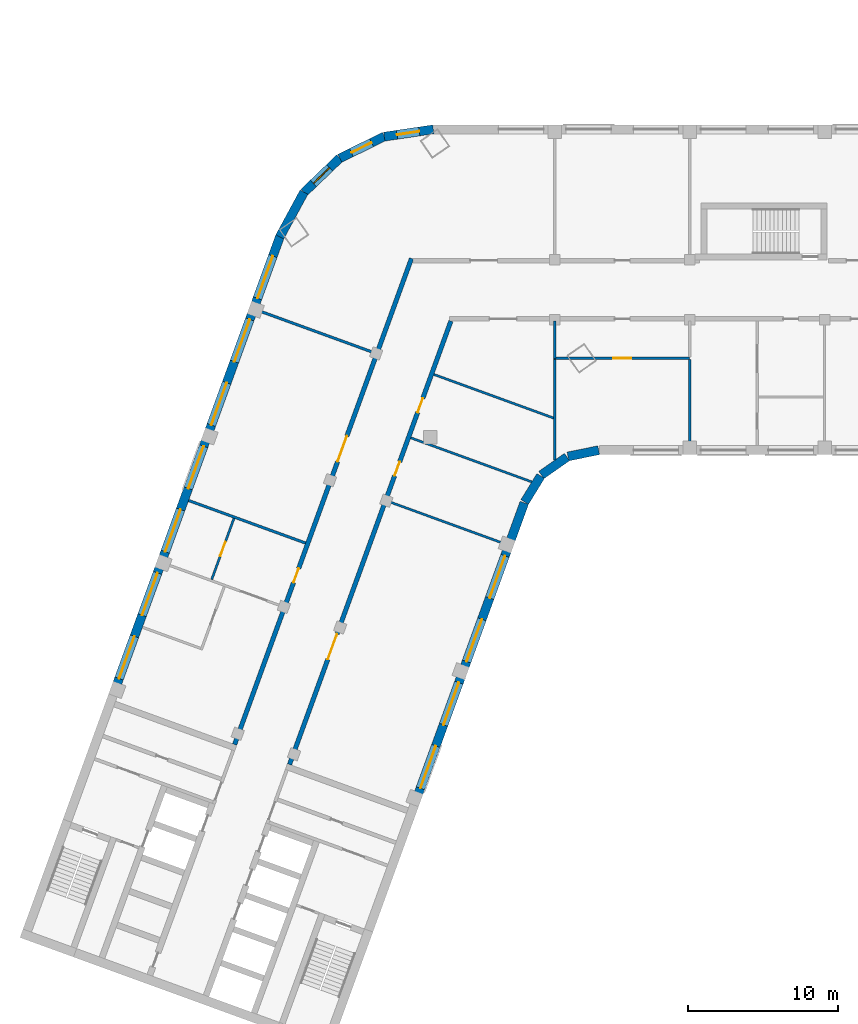
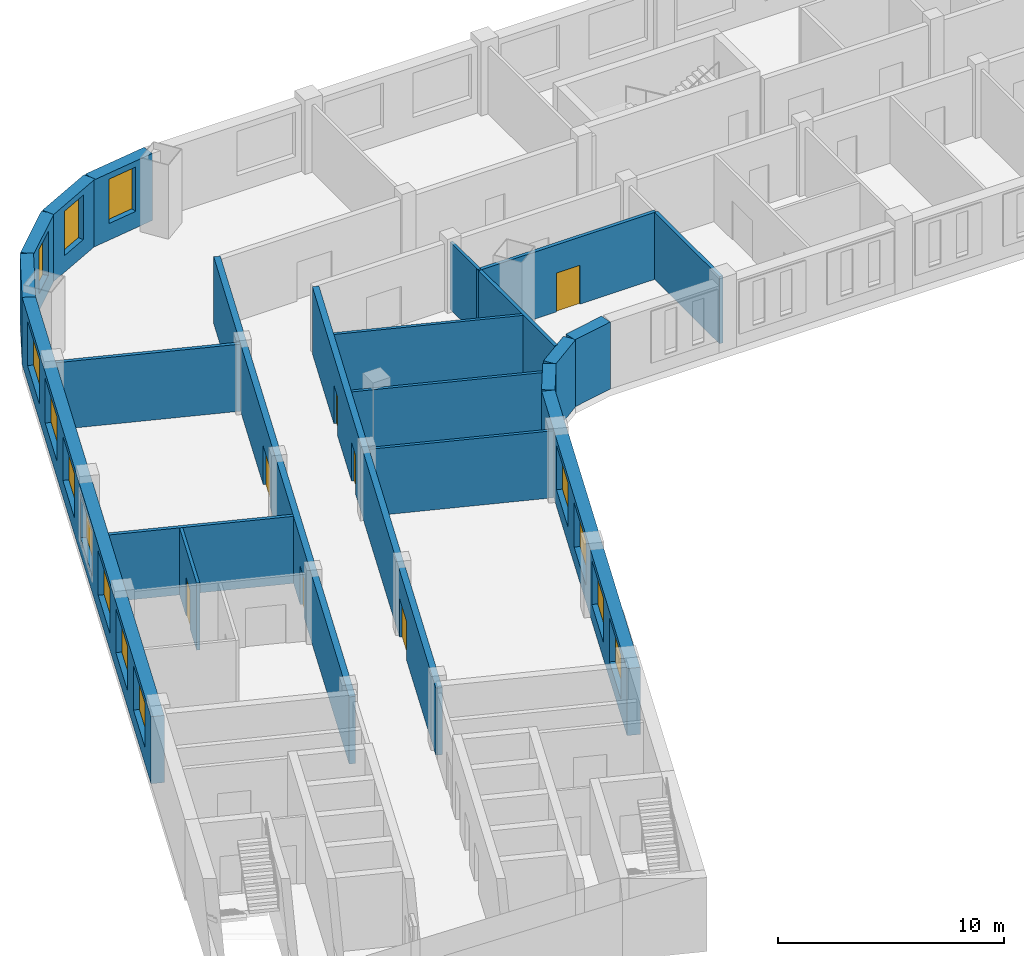
# One storey, part 3 of 12: 21 walls, 14 windows, 7 doors, 21 openings.
"""IFC4 building model written with IfcOpenShell, lengths in metres."""

from ifc_helpers import new_model, si_unit, direction, frame, frame_2d, origin, place, context, subcontext, project, spatial, rectangle, extrude, material, layer, layer_set, type_object, element, fill, save


model = new_model("IFC4")

# Units and contexts
model_context = context("Model", 3, precision=1e-05, world=origin(), true_north=direction((0.0, 1.0)))
body_context = subcontext(model_context, "Body", "Model", "MODEL_VIEW")
ifc_project = project(units=[si_unit("LENGTHUNIT", "METRE"), si_unit("AREAUNIT", "SQUARE_METRE"), si_unit("VOLUMEUNIT", "CUBIC_METRE"), si_unit("PLANEANGLEUNIT", "RADIAN"), si_unit("MASSUNIT", "GRAM", prefix="KILO")], contexts=[model_context])

# Site, building, storey
site_placement = place(None, origin())
site = spatial("IfcSite", under=ifc_project, at=site_placement, CompositionType="ELEMENT")
building_placement = place(site_placement, origin())
building = spatial("IfcBuilding", under=site, at=building_placement, Name="Skarvind Civic Tower", CompositionType="ELEMENT")
storey_placement = place(building_placement, frame((0.0, 0.0, 47.5)))
storey = spatial("IfcBuildingStorey", under=building, at=storey_placement, Name="L10", CompositionType="ELEMENT", Elevation=47.5)

# Walls
ifc_material_1 = material(Name="Acoustic gypsum board on steel studs", Category="steel")
ifc_layer_1 = layer(ifc_material_1, 0.175048828125)
ifc_layer_set_1 = layer_set([ifc_layer_1], Name="ACOUSTIC MEETING-ROOM PARTITION 175")
wall_type_1 = type_object("IfcWallType", Name="ACOUSTIC MEETING-ROOM PARTITION 175", PredefinedType="PARTITIONING", material=ifc_layer_set_1)
wall_1_placement = place(storey_placement, frame((29.81396484375, 113.93798828125, 0.0), z_axis=(0.0, 0.0, 1.0), x_axis=(0.939697205528, -0.342007546586, 0.0)))
element("IfcWall", 1, at=wall_1_placement, inside=storey, type_object=wall_type_1, Name="Partition 10.003", PredefinedType="PARTITIONING", context=body_context, shape_type="SweptSolid", body=[
    extrude(rectangle(XDim=8.300537109375, YDim=0.175048828125, at=frame_2d((4.150390625, 0.0))), origin(), (0.0, 0.0, 1.0), 3.625),
])
wall_2_placement = place(storey_placement, frame((42.23095703125, 123.784912109375, 0.0), z_axis=(0.0, 0.0, 1.0), x_axis=(-0.939687752599, 0.342033518263, 0.0)))
element("IfcWall", 2, at=wall_2_placement, inside=storey, type_object=wall_type_1, Name="Partition 10.007", PredefinedType="PARTITIONING", context=body_context, shape_type="SweptSolid", body=[
    extrude(rectangle(XDim=8.30078125, YDim=0.175048828125, at=frame_2d((4.150390625, 0.0))), origin(), (0.0, 0.0, 1.0), 3.625),
])
wall_3_placement = place(storey_placement, frame((54.25, 116.637939453125, 0.0), z_axis=(0.0, 0.0, 1.0), x_axis=(0.0, 1.0, 0.0)))
element("IfcWall", 3, at=wall_3_placement, inside=storey, type_object=wall_type_1, Name="Partition 10.012", PredefinedType="PARTITIONING", context=body_context, shape_type="SweptSolid", body=[
    extrude(rectangle(XDim=6.7041015625, YDim=0.175048828125, at=frame_2d((3.35205078125, 0.0))), origin(), (0.0, 0.0, 1.0), 3.625),
])
wall_4_placement = place(storey_placement, frame((63.25, 117.60009765625, 0.0), z_axis=(0.0, 0.0, 1.0), x_axis=(0.0, 1.0, 0.0)))
element("IfcWall", 4, at=wall_4_placement, inside=storey, type_object=wall_type_1, Name="Partition 10.016", PredefinedType="PARTITIONING", context=body_context, shape_type="SweptSolid", body=[
    extrude(rectangle(XDim=5.7578125, YDim=0.175048828125, at=frame_2d((2.87890625, 0.0))), origin(), (0.0, 0.0, 1.0), 3.625),
])

# Wall, opening, door
wall_5_placement = place(storey_placement, frame((54.162109375, 123.429931640625, 0.0), z_axis=(0.0, 0.0, 1.0), x_axis=(1.0, 0.0, 0.0)))
wall_5 = element("IfcWall", 5, at=wall_5_placement, inside=storey, type_object=wall_type_1, Name="Partition 10.018", PredefinedType="PARTITIONING", context=body_context, shape_type="SweptSolid", body=[
    extrude(rectangle(XDim=9.087890625, YDim=0.175048828125, at=frame_2d((4.5439453125, 0.0))), origin(), (0.0, 0.0, 1.0), 3.625),
])
opening_1_placement = place(wall_5_placement, frame((3.988037109375, 0.0, 0.0)))
opening_1 = element("IfcOpeningElement", 6, at=opening_1_placement, cuts=wall_5, Name="Opening L10-D026", PredefinedType="OPENING", context=body_context, shape_type="SweptSolid", body=[
    extrude(rectangle(XDim=1.199951171875, YDim=2.10009765625, at=frame_2d((0.60009765625, 1.050048828125))), frame((0.0, 0.097412109375, 0.0), z_axis=(0.0, -1.0, 0.0), x_axis=(1.0, 0.0, 0.0)), (0.0, 0.0, 1.0), 0.195068359375),
])
ifc_material_2 = material(Name="Timber door leaf", Category="wood")
door_type_1 = type_object("IfcDoorType", Name="DOOR 1200X2100 DOUBLE TIMBER", OperationType="NOTDEFINED", PredefinedType="DOOR", material=ifc_material_2)
door_1_placement = place(opening_1_placement, origin())
door_1 = element("IfcDoor", 7, at=door_1_placement, inside=storey, type_object=door_type_1, Name="Door L10-D026", OperationType="DOUBLE_DOOR_SINGLE_SWING", OverallHeight=2.10009765625, OverallWidth=1.199951171875, PredefinedType="DOOR", context=body_context, shape_type="SweptSolid", body=[
    extrude(rectangle(XDim=1.199951171875, YDim=2.10009765625, at=frame_2d((0.60009765625, 1.050048828125))), frame((0.0, 0.02490234375, 0.0), z_axis=(0.0, -1.0, 0.0), x_axis=(1.0, 0.0, 0.0)), (0.0, 0.0, 1.0), 0.050048828125),
])
fill(opening_1, door_1)

# Wall, openings, doors
ifc_material_3 = material(Name="Fire-rated gypsum board on steel studs", Category="steel")
ifc_layer_2 = layer(ifc_material_3, 0.300048828125)
ifc_layer_set_2 = layer_set([ifc_layer_2], Name="CORRIDOR WALL 300")
wall_type_2 = type_object("IfcWallType", Name="CORRIDOR WALL 300", PredefinedType="PARTITIONING", material=ifc_layer_set_2)
wall_6_placement = place(storey_placement, frame((32.881103515625, 97.656982421875, 0.0), z_axis=(0.0, 0.0, 1.0), x_axis=(0.342017360004, 0.939693633828, 0.0)))
wall_6 = element("IfcWall", 8, at=wall_6_placement, inside=storey, type_object=wall_type_2, Name="Partition 10.006", PredefinedType="PARTITIONING", context=body_context, shape_type="SweptSolid", body=[
    extrude(rectangle(XDim=34.515625, YDim=0.300048828125, at=frame_2d((17.2578125, 0.0))), origin(), (0.0, 0.0, 1.0), 3.625),
])
opening_2_placement = place(wall_6_placement, frame((11.500244140625, 0.0, 0.0)))
opening_2 = element("IfcOpeningElement", 9, at=opening_2_placement, cuts=wall_6, Name="Opening L10-D016", PredefinedType="OPENING", context=body_context, shape_type="SweptSolid", body=[
    extrude(rectangle(XDim=1.0, YDim=2.10009765625, at=frame_2d((0.5, 1.050048828125))), frame((0.0, 0.159912109375, 0.0), z_axis=(0.0, -1.0, 0.0), x_axis=(1.0, 0.0, 0.0)), (0.0, 0.0, 1.0), 0.320068359375),
])
opening_3_placement = place(wall_6_placement, frame((20.100341796875, 0.0, 0.0)))
opening_3 = element("IfcOpeningElement", 10, at=opening_3_placement, cuts=wall_6, Name="Opening L10-D020", PredefinedType="OPENING", context=body_context, shape_type="SweptSolid", body=[
    extrude(rectangle(XDim=1.800048828125, YDim=2.10009765625, at=frame_2d((0.89990234375, 1.050048828125))), frame((0.0, 0.159912109375, 0.0), z_axis=(0.0, -1.0, 0.0), x_axis=(1.0, 0.0, 0.0)), (0.0, 0.0, 1.0), 0.320068359375),
])
ifc_material_4 = material(Name="Fire-rated timber door leaf", Category="wood")
door_type_2 = type_object("IfcDoorType", Name="FD1 1000x2100", OperationType="NOTDEFINED", PredefinedType="DOOR", material=ifc_material_4)
door_2_placement = place(opening_2_placement, origin())
door_2 = element("IfcDoor", 11, at=door_2_placement, inside=storey, type_object=door_type_2, Name="Door L10-D016", OperationType="SINGLE_SWING_LEFT", OverallHeight=2.10009765625, OverallWidth=1.0, PredefinedType="DOOR", context=body_context, shape_type="SweptSolid", body=[
    extrude(rectangle(XDim=1.0, YDim=2.10009765625, at=frame_2d((0.5, 1.050048828125))), frame((0.0, 0.02490234375, 0.0), z_axis=(0.0, -1.0, 0.0), x_axis=(1.0, 0.0, 0.0)), (0.0, 0.0, 1.0), 0.050048828125),
])
fill(opening_2, door_2)
door_type_3 = type_object("IfcDoorType", Name="FD4 1800x2100", OperationType="NOTDEFINED", PredefinedType="DOOR", material=ifc_material_4)
door_3_placement = place(opening_3_placement, origin())
door_3 = element("IfcDoor", 12, at=door_3_placement, inside=storey, type_object=door_type_3, Name="Door L10-D020", OperationType="DOUBLE_DOOR_SINGLE_SWING", OverallHeight=2.10009765625, OverallWidth=1.800048828125, PredefinedType="DOOR", context=body_context, shape_type="SweptSolid", body=[
    extrude(rectangle(XDim=1.800048828125, YDim=2.10009765625, at=frame_2d((0.89990234375, 1.050048828125))), frame((0.0, 0.02490234375, 0.0), z_axis=(0.0, -1.0, 0.0), x_axis=(1.0, 0.0, 0.0)), (0.0, 0.0, 1.0), 0.050048828125),
])
fill(opening_3, door_3)

wall_7_placement = place(storey_placement, frame((47.31396484375, 125.908935546875, 0.0), z_axis=(0.0, 0.0, 1.0), x_axis=(-0.342010770371, -0.939696032209, 0.0)))
wall_7 = element("IfcWall", 13, at=wall_7_placement, inside=storey, type_object=wall_type_2, Name="Partition 10.011", PredefinedType="PARTITIONING", context=body_context, shape_type="SweptSolid", body=[
    extrude(rectangle(XDim=31.484619140625, YDim=0.300048828125, at=frame_2d((15.7421875, 0.0))), origin(), (0.0, 0.0, 1.0), 3.625),
])
opening_4_placement = place(wall_7_placement, frame((22.209716796875, 0.0, 0.0)))
opening_4 = element("IfcOpeningElement", 14, at=opening_4_placement, cuts=wall_7, Name="Opening L10-D021", PredefinedType="OPENING", context=body_context, shape_type="SweptSolid", body=[
    extrude(rectangle(XDim=1.800048828125, YDim=2.10009765625, at=frame_2d((0.89990234375, 1.050048828125))), frame((0.0, 0.159912109375, 0.0), z_axis=(0.0, -1.0, 0.0), x_axis=(1.0, 0.0, 0.0)), (0.0, 0.0, 1.0), 0.320068359375),
])
opening_5_placement = place(wall_7_placement, frame((9.984619140625, 0.0, 0.0)))
opening_5 = element("IfcOpeningElement", 15, at=opening_5_placement, cuts=wall_7, Name="Opening L10-D022", PredefinedType="OPENING", context=body_context, shape_type="SweptSolid", body=[
    extrude(rectangle(XDim=1.0, YDim=2.10009765625, at=frame_2d((0.5, 1.050048828125))), frame((0.0, 0.159912109375, 0.0), z_axis=(0.0, -1.0, 0.0), x_axis=(1.0, 0.0, 0.0)), (0.0, 0.0, 1.0), 0.320068359375),
])
opening_6_placement = place(wall_7_placement, frame((5.484130859375, 0.0, 0.0)))
opening_6 = element("IfcOpeningElement", 16, at=opening_6_placement, cuts=wall_7, Name="Opening L10-D023", PredefinedType="OPENING", context=body_context, shape_type="SweptSolid", body=[
    extrude(rectangle(XDim=1.0, YDim=2.10009765625, at=frame_2d((0.5, 1.050048828125))), frame((0.0, 0.159912109375, 0.0), z_axis=(0.0, -1.0, 0.0), x_axis=(1.0, 0.0, 0.0)), (0.0, 0.0, 1.0), 0.320068359375),
])
door_4_placement = place(opening_5_placement, origin())
door_4 = element("IfcDoor", 17, at=door_4_placement, inside=storey, type_object=door_type_2, Name="Door L10-D022", OperationType="SINGLE_SWING_LEFT", OverallHeight=2.10009765625, OverallWidth=1.0, PredefinedType="DOOR", context=body_context, shape_type="SweptSolid", body=[
    extrude(rectangle(XDim=1.0, YDim=2.10009765625, at=frame_2d((0.5, 1.050048828125))), frame((0.0, 0.02490234375, 0.0), z_axis=(0.0, -1.0, 0.0), x_axis=(1.0, 0.0, 0.0)), (0.0, 0.0, 1.0), 0.050048828125),
])
fill(opening_5, door_4)
door_5_placement = place(opening_6_placement, origin())
door_5 = element("IfcDoor", 18, at=door_5_placement, inside=storey, type_object=door_type_2, Name="Door L10-D023", OperationType="SINGLE_SWING_LEFT", OverallHeight=2.10009765625, OverallWidth=1.0, PredefinedType="DOOR", context=body_context, shape_type="SweptSolid", body=[
    extrude(rectangle(XDim=1.0, YDim=2.10009765625, at=frame_2d((0.5, 1.050048828125))), frame((0.0, 0.02490234375, 0.0), z_axis=(0.0, -1.0, 0.0), x_axis=(1.0, 0.0, 0.0)), (0.0, 0.0, 1.0), 0.050048828125),
])
fill(opening_6, door_5)
door_6_placement = place(opening_4_placement, origin())
door_6 = element("IfcDoor", 19, at=door_6_placement, inside=storey, type_object=door_type_3, Name="Door L10-D021", OperationType="DOUBLE_DOOR_SINGLE_SWING", OverallHeight=2.10009765625, OverallWidth=1.800048828125, PredefinedType="DOOR", context=body_context, shape_type="SweptSolid", body=[
    extrude(rectangle(XDim=1.800048828125, YDim=2.10009765625, at=frame_2d((0.89990234375, 1.050048828125))), frame((0.0, 0.02490234375, 0.0), z_axis=(0.0, -1.0, 0.0), x_axis=(1.0, 0.0, 0.0)), (0.0, 0.0, 1.0), 0.050048828125),
])
fill(opening_4, door_6)

# Wall, opening, door
ifc_material_5 = material(Name="Plasterboard partition on steel studs", Category="steel")
ifc_layer_3 = layer(ifc_material_5, 0.14990234375)
ifc_layer_set_3 = layer_set([ifc_layer_3], Name="PARTITION 150")
wall_type_3 = type_object("IfcWallType", Name="PARTITION 150", PredefinedType="PARTITIONING", material=ifc_layer_set_3)
wall_8_placement = place(storey_placement, frame((32.837890625, 112.743896484375, 0.0), z_axis=(0.0, 0.0, 1.0), x_axis=(-0.341896722183, -0.93973753323, 0.0)))
wall_8 = element("IfcWall", 20, at=wall_8_placement, inside=storey, type_object=wall_type_3, Name="Partition 10.005", PredefinedType="PARTITIONING", context=body_context, shape_type="SweptSolid", body=[
    extrude(rectangle(XDim=4.33740234375, YDim=0.14990234375, at=frame_2d((2.168701171875, 0.0))), origin(), (0.0, 0.0, 1.0), 3.625),
])
opening_7_placement = place(wall_8_placement, frame((1.668701171875, 0.0, 0.0)))
opening_7 = element("IfcOpeningElement", 21, at=opening_7_placement, cuts=wall_8, Name="Opening L10-D018", PredefinedType="OPENING", context=body_context, shape_type="SweptSolid", body=[
    extrude(rectangle(XDim=1.0, YDim=2.10009765625, at=frame_2d((0.5, 1.050048828125))), frame((0.0, 0.0849609375, 0.0), z_axis=(0.0, -1.0, 0.0), x_axis=(1.0, 0.0, 0.0)), (0.0, 0.0, 1.0), 0.169921875),
])
door_type_4 = type_object("IfcDoorType", Name="D1 1000x2100", OperationType="NOTDEFINED", PredefinedType="DOOR", material=ifc_material_2)
door_7_placement = place(opening_7_placement, origin())
door_7 = element("IfcDoor", 22, at=door_7_placement, inside=storey, type_object=door_type_4, Name="Door L10-D018", OperationType="SINGLE_SWING_LEFT", OverallHeight=2.10009765625, OverallWidth=1.0, PredefinedType="DOOR", context=body_context, shape_type="SweptSolid", body=[
    extrude(rectangle(XDim=1.0, YDim=2.10009765625, at=frame_2d((0.5, 1.050048828125))), frame((0.0, 0.02490234375, 0.0), z_axis=(0.0, -1.0, 0.0), x_axis=(1.0, 0.0, 0.0)), (0.0, 0.0, 1.0), 0.050048828125),
])
fill(opening_7, door_7)

# Walls
wall_9_placement = place(storey_placement, frame((43.10009765625, 113.89111328125, 0.0), z_axis=(0.0, 0.0, 1.0), x_axis=(0.939670544866, -0.342080790328, 0.0)))
element("IfcWall", 23, at=wall_9_placement, inside=storey, type_object=wall_type_3, Name="Partition 10.008", PredefinedType="PARTITIONING", context=body_context, shape_type="SweptSolid", body=[
    extrude(rectangle(XDim=8.299560546875, YDim=0.14990234375, at=frame_2d((4.14990234375, 0.0))), origin(), (0.0, 0.0, 1.0), 3.625),
])
wall_10_placement = place(storey_placement, frame((44.638916015625, 118.1201171875, 0.0), z_axis=(0.0, 0.0, 1.0), x_axis=(0.939669707102, -0.342083091593, 0.0)))
element("IfcWall", 24, at=wall_10_placement, inside=storey, type_object=wall_type_3, Name="Partition 10.009", PredefinedType="PARTITIONING", context=body_context, shape_type="SweptSolid", body=[
    extrude(rectangle(XDim=8.58935546875, YDim=0.14990234375, at=frame_2d((4.294677734375, 0.0))), origin(), (0.0, 0.0, 1.0), 3.625),
])
wall_11_placement = place(storey_placement, frame((54.16796875, 119.43994140625, 0.0), z_axis=(0.0, 0.0, 1.0), x_axis=(-0.939652508948, 0.342130329594, 0.0)))
element("IfcWall", 25, at=wall_11_placement, inside=storey, type_object=wall_type_3, Name="Partition 10.013", PredefinedType="PARTITIONING", context=body_context, shape_type="SweptSolid", body=[
    extrude(rectangle(XDim=8.503173828125, YDim=0.14990234375, at=frame_2d((4.25146484375, 0.0))), origin(), (0.0, 0.0, 1.0), 3.625),
])
wall_12_placement = place(storey_placement, frame((54.25, 125.89990234375, 0.0), z_axis=(0.0, 0.0, 1.0), x_axis=(0.0, -1.0, 0.0)))
element("IfcWall", 26, at=wall_12_placement, inside=storey, type_object=wall_type_3, Name="Partition 10.014", PredefinedType="PARTITIONING", context=body_context, shape_type="SweptSolid", body=[
    extrude(rectangle(XDim=2.472900390625, YDim=0.14990234375, at=frame_2d((1.236328125, 0.0))), origin(), (0.0, 0.0, 1.0), 3.625),
])

# Wall, openings, windows
ifc_material_6 = material(Name="Limestone masonry cladding on insulated backing", Category="masonry")
ifc_layer_4 = layer(ifc_material_6, 0.60009765625)
ifc_layer_set_4 = layer_set([ifc_layer_4], Name="WX1 STONE FACADE WALL 600")
wall_type_4 = type_object("IfcWallType", Name="WX1 STONE FACADE WALL 600", PredefinedType="SOLIDWALL", material=ifc_layer_set_4)
wall_13_placement = place(storey_placement, frame((52.212158203125, 113.78271484375, 0.0), z_axis=(0.0, 0.0, 1.0), x_axis=(-0.34202521188, -0.939690775968, 0.0)))
wall_13 = element("IfcWall", 27, at=wall_13_placement, inside=storey, type_object=wall_type_4, Name="STONE FACADE WALL", PredefinedType="SOLIDWALL", context=body_context, shape_type="SweptSolid", body=[
    extrude(rectangle(XDim=21.744873046875, YDim=0.60009765625, at=frame_2d((10.87255859375, 0.0))), origin(), (0.0, 0.0, 1.0), 3.625),
])
opening_8_placement = place(wall_13_placement, frame((3.764892578125, 0.0, 0.89990234375)))
opening_8 = element("IfcOpeningElement", 28, at=opening_8_placement, cuts=wall_13, Name="Opening WN1", PredefinedType="OPENING", context=body_context, shape_type="SweptSolid", body=[
    extrude(rectangle(XDim=3.0, YDim=2.39990234375, at=frame_2d((1.5, 1.199951171875))), frame((0.0, 0.31005859375, 0.0), z_axis=(0.0, -1.0, 0.0), x_axis=(1.0, 0.0, 0.0)), (0.0, 0.0, 1.0), 0.6201171875),
])
opening_9_placement = place(wall_13_placement, frame((8.264892578125, 0.0, 0.89990234375)))
opening_9 = element("IfcOpeningElement", 29, at=opening_9_placement, cuts=wall_13, Name="Opening WN1", PredefinedType="OPENING", context=body_context, shape_type="SweptSolid", body=[
    extrude(rectangle(XDim=3.0, YDim=2.39990234375, at=frame_2d((1.5, 1.199951171875))), frame((0.0, 0.31005859375, 0.0), z_axis=(0.0, -1.0, 0.0), x_axis=(1.0, 0.0, 0.0)), (0.0, 0.0, 1.0), 0.6201171875),
])
opening_10_placement = place(wall_13_placement, frame((12.764892578125, 0.0, 0.89990234375)))
opening_10 = element("IfcOpeningElement", 30, at=opening_10_placement, cuts=wall_13, Name="Opening WN1", PredefinedType="OPENING", context=body_context, shape_type="SweptSolid", body=[
    extrude(rectangle(XDim=3.0, YDim=2.39990234375, at=frame_2d((1.5, 1.199951171875))), frame((0.0, 0.31005859375, 0.0), z_axis=(0.0, -1.0, 0.0), x_axis=(1.0, 0.0, 0.0)), (0.0, 0.0, 1.0), 0.6201171875),
])
opening_11_placement = place(wall_13_placement, frame((17.264892578125, 0.0, 0.89990234375)))
opening_11 = element("IfcOpeningElement", 31, at=opening_11_placement, cuts=wall_13, Name="Opening WN1", PredefinedType="OPENING", context=body_context, shape_type="SweptSolid", body=[
    extrude(rectangle(XDim=3.0, YDim=2.39990234375, at=frame_2d((1.5, 1.199951171875))), frame((0.0, 0.31005859375, 0.0), z_axis=(0.0, -1.0, 0.0), x_axis=(1.0, 0.0, 0.0)), (0.0, 0.0, 1.0), 0.6201171875),
])
ifc_material_7 = material(Name="Timber frame, double glazing, timber-lined reveal", Category="wood")
window_type_1 = type_object("IfcWindowType", Name="WN1 PUNCHED STONE WINDOW 3000 x 2400", PartitioningType="SINGLE_PANEL", PredefinedType="WINDOW", material=ifc_material_7)
window_1_placement = place(opening_8_placement, origin())
window_1 = element("IfcWindow", 32, at=window_1_placement, inside=storey, type_object=window_type_1, Name="WN1 WINDOW", OverallHeight=2.39990234375, OverallWidth=3.0, PartitioningType="SINGLE_PANEL", PredefinedType="WINDOW", context=body_context, shape_type="SweptSolid", body=[
    extrude(rectangle(XDim=3.0, YDim=2.39990234375, at=frame_2d((1.5, 1.199951171875))), frame((0.0, 0.030029296875, 0.0), z_axis=(0.0, -1.0, 0.0), x_axis=(1.0, 0.0, 0.0)), (0.0, 0.0, 1.0), 0.06005859375),
])
fill(opening_8, window_1)
window_2_placement = place(opening_9_placement, origin())
window_2 = element("IfcWindow", 33, at=window_2_placement, inside=storey, type_object=window_type_1, Name="WN1 WINDOW", OverallHeight=2.39990234375, OverallWidth=3.0, PartitioningType="SINGLE_PANEL", PredefinedType="WINDOW", context=body_context, shape_type="SweptSolid", body=[
    extrude(rectangle(XDim=3.0, YDim=2.39990234375, at=frame_2d((1.5, 1.199951171875))), frame((0.0, 0.030029296875, 0.0), z_axis=(0.0, -1.0, 0.0), x_axis=(1.0, 0.0, 0.0)), (0.0, 0.0, 1.0), 0.06005859375),
])
fill(opening_9, window_2)
window_3_placement = place(opening_10_placement, origin())
window_3 = element("IfcWindow", 34, at=window_3_placement, inside=storey, type_object=window_type_1, Name="WN1 WINDOW", OverallHeight=2.39990234375, OverallWidth=3.0, PartitioningType="SINGLE_PANEL", PredefinedType="WINDOW", context=body_context, shape_type="SweptSolid", body=[
    extrude(rectangle(XDim=3.0, YDim=2.39990234375, at=frame_2d((1.5, 1.199951171875))), frame((0.0, 0.030029296875, 0.0), z_axis=(0.0, -1.0, 0.0), x_axis=(1.0, 0.0, 0.0)), (0.0, 0.0, 1.0), 0.06005859375),
])
fill(opening_10, window_3)
window_4_placement = place(opening_11_placement, origin())
window_4 = element("IfcWindow", 35, at=window_4_placement, inside=storey, type_object=window_type_1, Name="WN1 WINDOW", OverallHeight=2.39990234375, OverallWidth=3.0, PartitioningType="SINGLE_PANEL", PredefinedType="WINDOW", context=body_context, shape_type="SweptSolid", body=[
    extrude(rectangle(XDim=3.0, YDim=2.39990234375, at=frame_2d((1.5, 1.199951171875))), frame((0.0, 0.030029296875, 0.0), z_axis=(0.0, -1.0, 0.0), x_axis=(1.0, 0.0, 0.0)), (0.0, 0.0, 1.0), 0.06005859375),
])
fill(opening_11, window_4)

# Walls
wall_14_placement = place(storey_placement, frame((53.30517578125, 115.578369140625, 0.0), z_axis=(0.0, 0.0, 1.0), x_axis=(-0.522402266438, -0.852699168535, 0.0)))
element("IfcWall", 36, at=wall_14_placement, inside=storey, type_object=wall_type_4, Name="STONE FACADE WALL", PredefinedType="SOLIDWALL", context=body_context, shape_type="SweptSolid", body=[
    extrude(rectangle(XDim=2.042236328125, YDim=0.60009765625, at=frame_2d((1.02099609375, 0.0))), origin(), (0.0, 0.0, 1.0), 3.625),
])
for number, where, z_axis, x_axis, name in (
    (37, (55.061767578125, 116.8388671875, 0.0), (0.0, 0.0, 1.0), (-0.819122269495, -0.573618956815, 0.0), "STONE FACADE WALL"),
    (38, (57.17529296875, 117.2939453125, 0.0), (0.0, 0.0, 1.0), (-0.97996099083, -0.19918949885, 0.0), "STONE FACADE WALL"),
):
    element("IfcWall", number, at=place(storey_placement, frame(where, z_axis=z_axis, x_axis=x_axis)), inside=storey, type_object=wall_type_4, Name=name, PredefinedType="SOLIDWALL", context=body_context, shape_type="SweptSolid", body=[
        extrude(rectangle(XDim=2.09228515625, YDim=0.60009765625, at=frame_2d((1.046142578125, 0.0))), origin(), (0.0, 0.0, 1.0), 3.625),
    ])

# Wall, opening, window
wall_15_placement = place(storey_placement, frame((42.872802734375, 138.21728515625, 0.0), z_axis=(0.0, 0.0, 1.0), x_axis=(0.989110792192, 0.14717282619, 0.0)))
wall_15 = element("IfcWall", 39, at=wall_15_placement, inside=storey, type_object=wall_type_4, Name="STONE FACADE WALL", PredefinedType="SOLIDWALL", context=body_context, shape_type="SweptSolid", body=[
    extrude(rectangle(XDim=3.302734375, YDim=0.60009765625, at=frame_2d((1.6513671875, 0.0))), origin(), (0.0, 0.0, 1.0), 3.625),
])
opening_12_placement = place(wall_15_placement, frame((0.8564453125, 0.0, 0.89990234375)))
opening_12 = element("IfcOpeningElement", 40, at=opening_12_placement, cuts=wall_15, Name="Opening WN8", PredefinedType="OPENING", context=body_context, shape_type="SweptSolid", body=[
    extrude(rectangle(XDim=1.5, YDim=2.39990234375, at=frame_2d((0.75, 1.199951171875))), frame((0.0, 0.31005859375, 0.0), z_axis=(0.0, -1.0, 0.0), x_axis=(1.0, 0.0, 0.0)), (0.0, 0.0, 1.0), 0.6201171875),
])
window_type_2 = type_object("IfcWindowType", Name="WN8 ARC BAY WINDOW 1500 x 2400", PartitioningType="SINGLE_PANEL", PredefinedType="WINDOW", material=ifc_material_7)
window_5_placement = place(opening_12_placement, origin())
window_5 = element("IfcWindow", 41, at=window_5_placement, inside=storey, type_object=window_type_2, Name="WN8 WINDOW", OverallHeight=2.39990234375, OverallWidth=1.5, PartitioningType="SINGLE_PANEL", PredefinedType="WINDOW", context=body_context, shape_type="SweptSolid", body=[
    extrude(rectangle(XDim=1.5, YDim=2.39990234375, at=frame_2d((0.75, 1.199951171875))), frame((0.0, 0.030029296875, 0.0), z_axis=(0.0, -1.0, 0.0), x_axis=(1.0, 0.0, 0.0)), (0.0, 0.0, 1.0), 0.06005859375),
])
fill(opening_12, window_5)

wall_16_placement = place(storey_placement, frame((39.9072265625, 136.77587890625, 0.0), z_axis=(0.0, 0.0, 1.0), x_axis=(0.89761231107, 0.440785819889, 0.0)))
wall_16 = element("IfcWall", 42, at=wall_16_placement, inside=storey, type_object=wall_type_4, Name="STONE FACADE WALL", PredefinedType="SOLIDWALL", context=body_context, shape_type="SweptSolid", body=[
    extrude(rectangle(XDim=3.302734375, YDim=0.60009765625, at=frame_2d((1.6513671875, 0.0))), origin(), (0.0, 0.0, 1.0), 3.625),
])
opening_13_placement = place(wall_16_placement, frame((0.8564453125, 0.0, 0.89990234375)))
opening_13 = element("IfcOpeningElement", 43, at=opening_13_placement, cuts=wall_16, Name="Opening WN8", PredefinedType="OPENING", context=body_context, shape_type="SweptSolid", body=[
    extrude(rectangle(XDim=1.5, YDim=2.39990234375, at=frame_2d((0.75, 1.199951171875))), frame((0.0, 0.31005859375, 0.0), z_axis=(0.0, -1.0, 0.0), x_axis=(1.0, 0.0, 0.0)), (0.0, 0.0, 1.0), 0.6201171875),
])
window_6_placement = place(opening_13_placement, origin())
window_6 = element("IfcWindow", 44, at=window_6_placement, inside=storey, type_object=window_type_2, Name="WN8 WINDOW", OverallHeight=2.39990234375, OverallWidth=1.5, PartitioningType="SINGLE_PANEL", PredefinedType="WINDOW", context=body_context, shape_type="SweptSolid", body=[
    extrude(rectangle(XDim=1.5, YDim=2.39990234375, at=frame_2d((0.75, 1.199951171875))), frame((0.0, 0.030029296875, 0.0), z_axis=(0.0, -1.0, 0.0), x_axis=(1.0, 0.0, 0.0)), (0.0, 0.0, 1.0), 0.06005859375),
])
fill(opening_13, window_6)

wall_17_placement = place(storey_placement, frame((37.520263671875, 134.501220703125, 0.0), z_axis=(0.0, 0.0, 1.0), x_axis=(0.72115684486, 0.692771827596, 0.0)))
wall_17 = element("IfcWall", 45, at=wall_17_placement, inside=storey, type_object=wall_type_4, Name="STONE FACADE WALL", PredefinedType="SOLIDWALL", context=body_context, shape_type="SweptSolid", body=[
    extrude(rectangle(XDim=3.302734375, YDim=0.60009765625, at=frame_2d((1.6513671875, 0.0))), origin(), (0.0, 0.0, 1.0), 3.625),
])
opening_14_placement = place(wall_17_placement, frame((0.8564453125, 0.0, 0.89990234375)))
opening_14 = element("IfcOpeningElement", 46, at=opening_14_placement, cuts=wall_17, Name="Opening WN8", PredefinedType="OPENING", context=body_context, shape_type="SweptSolid", body=[
    extrude(rectangle(XDim=1.5, YDim=2.39990234375, at=frame_2d((0.75, 1.199951171875))), frame((0.0, 0.31005859375, 0.0), z_axis=(0.0, -1.0, 0.0), x_axis=(1.0, 0.0, 0.0)), (0.0, 0.0, 1.0), 0.6201171875),
])
window_7_placement = place(opening_14_placement, origin())
window_7 = element("IfcWindow", 47, at=window_7_placement, inside=storey, type_object=window_type_2, Name="WN8 WINDOW", OverallHeight=2.39990234375, OverallWidth=1.5, PartitioningType="SINGLE_PANEL", PredefinedType="WINDOW", context=body_context, shape_type="SweptSolid", body=[
    extrude(rectangle(XDim=1.5, YDim=2.39990234375, at=frame_2d((0.75, 1.199951171875))), frame((0.0, 0.030029296875, 0.0), z_axis=(0.0, -1.0, 0.0), x_axis=(1.0, 0.0, 0.0)), (0.0, 0.0, 1.0), 0.06005859375),
])
fill(opening_14, window_7)

# Wall
wall_18_placement = place(storey_placement, frame((35.89453125, 131.529541015625, 0.0), z_axis=(0.0, 0.0, 1.0), x_axis=(0.476531180538, 0.879157570618, 0.0)))
element("IfcWall", 48, at=wall_18_placement, inside=storey, type_object=wall_type_4, Name="STONE FACADE WALL", PredefinedType="SOLIDWALL", context=body_context, shape_type="SweptSolid", body=[
    extrude(rectangle(XDim=3.392578125, YDim=0.60009765625, at=frame_2d((1.6962890625, 0.0))), origin(), (0.0, 0.0, 1.0), 3.625),
])

# Wall, openings, windows
wall_19_placement = place(storey_placement, frame((24.66552734375, 100.668701171875, 0.0), z_axis=(0.0, 0.0, 1.0), x_axis=(0.34201964167, 0.939692803373, 0.0)))
wall_19 = element("IfcWall", 49, at=wall_19_placement, inside=storey, type_object=wall_type_4, Name="STONE FACADE WALL", PredefinedType="SOLIDWALL", context=body_context, shape_type="SweptSolid", body=[
    extrude(rectangle(XDim=32.88427734375, YDim=0.60009765625, at=frame_2d((16.442138671875, 0.0))), origin(), (0.0, 0.0, 1.0), 3.625),
])
opening_15_placement = place(wall_19_placement, frame((1.47998046875, 0.0, 0.89990234375)))
opening_15 = element("IfcOpeningElement", 50, at=opening_15_placement, cuts=wall_19, Name="Opening WN1", PredefinedType="OPENING", context=body_context, shape_type="SweptSolid", body=[
    extrude(rectangle(XDim=3.0, YDim=2.39990234375, at=frame_2d((1.5, 1.199951171875))), frame((0.0, 0.31005859375, 0.0), z_axis=(0.0, -1.0, 0.0), x_axis=(1.0, 0.0, 0.0)), (0.0, 0.0, 1.0), 0.6201171875),
])
opening_16_placement = place(wall_19_placement, frame((5.97998046875, 0.0, 0.89990234375)))
opening_16 = element("IfcOpeningElement", 51, at=opening_16_placement, cuts=wall_19, Name="Opening WN1", PredefinedType="OPENING", context=body_context, shape_type="SweptSolid", body=[
    extrude(rectangle(XDim=3.0, YDim=2.39990234375, at=frame_2d((1.5, 1.199951171875))), frame((0.0, 0.31005859375, 0.0), z_axis=(0.0, -1.0, 0.0), x_axis=(1.0, 0.0, 0.0)), (0.0, 0.0, 1.0), 0.6201171875),
])
opening_17_placement = place(wall_19_placement, frame((10.47998046875, 0.0, 0.89990234375)))
opening_17 = element("IfcOpeningElement", 52, at=opening_17_placement, cuts=wall_19, Name="Opening WN1", PredefinedType="OPENING", context=body_context, shape_type="SweptSolid", body=[
    extrude(rectangle(XDim=3.0, YDim=2.39990234375, at=frame_2d((1.5, 1.199951171875))), frame((0.0, 0.31005859375, 0.0), z_axis=(0.0, -1.0, 0.0), x_axis=(1.0, 0.0, 0.0)), (0.0, 0.0, 1.0), 0.6201171875),
])
opening_18_placement = place(wall_19_placement, frame((14.97998046875, 0.0, 0.89990234375)))
opening_18 = element("IfcOpeningElement", 53, at=opening_18_placement, cuts=wall_19, Name="Opening WN1", PredefinedType="OPENING", context=body_context, shape_type="SweptSolid", body=[
    extrude(rectangle(XDim=3.0, YDim=2.39990234375, at=frame_2d((1.5, 1.199951171875))), frame((0.0, 0.31005859375, 0.0), z_axis=(0.0, -1.0, 0.0), x_axis=(1.0, 0.0, 0.0)), (0.0, 0.0, 1.0), 0.6201171875),
])
opening_19_placement = place(wall_19_placement, frame((19.47998046875, 0.0, 0.89990234375)))
opening_19 = element("IfcOpeningElement", 54, at=opening_19_placement, cuts=wall_19, Name="Opening WN1", PredefinedType="OPENING", context=body_context, shape_type="SweptSolid", body=[
    extrude(rectangle(XDim=3.0, YDim=2.39990234375, at=frame_2d((1.5, 1.199951171875))), frame((0.0, 0.31005859375, 0.0), z_axis=(0.0, -1.0, 0.0), x_axis=(1.0, 0.0, 0.0)), (0.0, 0.0, 1.0), 0.6201171875),
])
opening_20_placement = place(wall_19_placement, frame((23.97998046875, 0.0, 0.89990234375)))
opening_20 = element("IfcOpeningElement", 55, at=opening_20_placement, cuts=wall_19, Name="Opening WN1", PredefinedType="OPENING", context=body_context, shape_type="SweptSolid", body=[
    extrude(rectangle(XDim=3.0, YDim=2.39990234375, at=frame_2d((1.5, 1.199951171875))), frame((0.0, 0.31005859375, 0.0), z_axis=(0.0, -1.0, 0.0), x_axis=(1.0, 0.0, 0.0)), (0.0, 0.0, 1.0), 0.6201171875),
])
opening_21_placement = place(wall_19_placement, frame((28.47998046875, 0.0, 0.89990234375)))
opening_21 = element("IfcOpeningElement", 56, at=opening_21_placement, cuts=wall_19, Name="Opening WN1", PredefinedType="OPENING", context=body_context, shape_type="SweptSolid", body=[
    extrude(rectangle(XDim=3.0, YDim=2.39990234375, at=frame_2d((1.5, 1.199951171875))), frame((0.0, 0.31005859375, 0.0), z_axis=(0.0, -1.0, 0.0), x_axis=(1.0, 0.0, 0.0)), (0.0, 0.0, 1.0), 0.6201171875),
])
window_8_placement = place(opening_15_placement, origin())
window_8 = element("IfcWindow", 57, at=window_8_placement, inside=storey, type_object=window_type_1, Name="WN1 WINDOW", OverallHeight=2.39990234375, OverallWidth=3.0, PartitioningType="SINGLE_PANEL", PredefinedType="WINDOW", context=body_context, shape_type="SweptSolid", body=[
    extrude(rectangle(XDim=3.0, YDim=2.39990234375, at=frame_2d((1.5, 1.199951171875))), frame((0.0, 0.030029296875, 0.0), z_axis=(0.0, -1.0, 0.0), x_axis=(1.0, 0.0, 0.0)), (0.0, 0.0, 1.0), 0.06005859375),
])
fill(opening_15, window_8)
window_9_placement = place(opening_16_placement, origin())
window_9 = element("IfcWindow", 58, at=window_9_placement, inside=storey, type_object=window_type_1, Name="WN1 WINDOW", OverallHeight=2.39990234375, OverallWidth=3.0, PartitioningType="SINGLE_PANEL", PredefinedType="WINDOW", context=body_context, shape_type="SweptSolid", body=[
    extrude(rectangle(XDim=3.0, YDim=2.39990234375, at=frame_2d((1.5, 1.199951171875))), frame((0.0, 0.030029296875, 0.0), z_axis=(0.0, -1.0, 0.0), x_axis=(1.0, 0.0, 0.0)), (0.0, 0.0, 1.0), 0.06005859375),
])
fill(opening_16, window_9)
window_10_placement = place(opening_17_placement, origin())
window_10 = element("IfcWindow", 59, at=window_10_placement, inside=storey, type_object=window_type_1, Name="WN1 WINDOW", OverallHeight=2.39990234375, OverallWidth=3.0, PartitioningType="SINGLE_PANEL", PredefinedType="WINDOW", context=body_context, shape_type="SweptSolid", body=[
    extrude(rectangle(XDim=3.0, YDim=2.39990234375, at=frame_2d((1.5, 1.199951171875))), frame((0.0, 0.030029296875, 0.0), z_axis=(0.0, -1.0, 0.0), x_axis=(1.0, 0.0, 0.0)), (0.0, 0.0, 1.0), 0.06005859375),
])
fill(opening_17, window_10)
window_11_placement = place(opening_18_placement, origin())
window_11 = element("IfcWindow", 60, at=window_11_placement, inside=storey, type_object=window_type_1, Name="WN1 WINDOW", OverallHeight=2.39990234375, OverallWidth=3.0, PartitioningType="SINGLE_PANEL", PredefinedType="WINDOW", context=body_context, shape_type="SweptSolid", body=[
    extrude(rectangle(XDim=3.0, YDim=2.39990234375, at=frame_2d((1.5, 1.199951171875))), frame((0.0, 0.030029296875, 0.0), z_axis=(0.0, -1.0, 0.0), x_axis=(1.0, 0.0, 0.0)), (0.0, 0.0, 1.0), 0.06005859375),
])
fill(opening_18, window_11)
window_12_placement = place(opening_19_placement, origin())
window_12 = element("IfcWindow", 61, at=window_12_placement, inside=storey, type_object=window_type_1, Name="WN1 WINDOW", OverallHeight=2.39990234375, OverallWidth=3.0, PartitioningType="SINGLE_PANEL", PredefinedType="WINDOW", context=body_context, shape_type="SweptSolid", body=[
    extrude(rectangle(XDim=3.0, YDim=2.39990234375, at=frame_2d((1.5, 1.199951171875))), frame((0.0, 0.030029296875, 0.0), z_axis=(0.0, -1.0, 0.0), x_axis=(1.0, 0.0, 0.0)), (0.0, 0.0, 1.0), 0.06005859375),
])
fill(opening_19, window_12)
window_13_placement = place(opening_20_placement, origin())
window_13 = element("IfcWindow", 62, at=window_13_placement, inside=storey, type_object=window_type_1, Name="WN1 WINDOW", OverallHeight=2.39990234375, OverallWidth=3.0, PartitioningType="SINGLE_PANEL", PredefinedType="WINDOW", context=body_context, shape_type="SweptSolid", body=[
    extrude(rectangle(XDim=3.0, YDim=2.39990234375, at=frame_2d((1.5, 1.199951171875))), frame((0.0, 0.030029296875, 0.0), z_axis=(0.0, -1.0, 0.0), x_axis=(1.0, 0.0, 0.0)), (0.0, 0.0, 1.0), 0.06005859375),
])
fill(opening_20, window_13)
window_14_placement = place(opening_21_placement, origin())
window_14 = element("IfcWindow", 63, at=window_14_placement, inside=storey, type_object=window_type_1, Name="WN1 WINDOW", OverallHeight=2.39990234375, OverallWidth=3.0, PartitioningType="SINGLE_PANEL", PredefinedType="WINDOW", context=body_context, shape_type="SweptSolid", body=[
    extrude(rectangle(XDim=3.0, YDim=2.39990234375, at=frame_2d((1.5, 1.199951171875))), frame((0.0, 0.030029296875, 0.0), z_axis=(0.0, -1.0, 0.0), x_axis=(1.0, 0.0, 0.0)), (0.0, 0.0, 1.0), 0.06005859375),
])
fill(opening_21, window_14)

save(model, "model.ifc")
